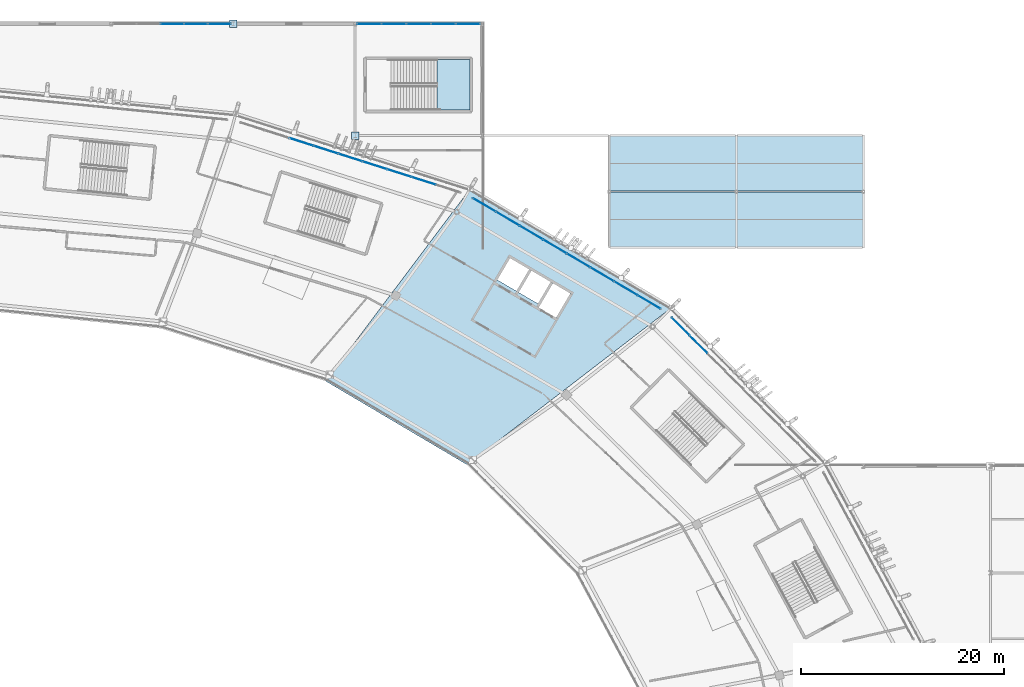
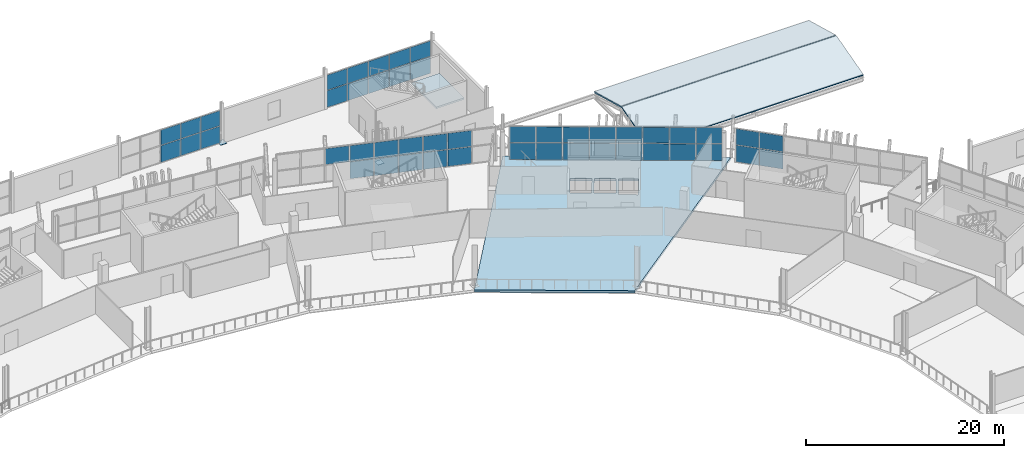
# One storey, part 102 of 179: 49 plates, 4 slabs, 7 elements without a shape of their own.
"""IFC4 building model written with IfcOpenShell, lengths in metres."""

from ifc_helpers import new_model, si_unit, direction, frame, origin, origin_2d, place, context, subcontext, project, spatial, polyline, rectangle, outline, extrude, material, layer, layer_set, type_object, element, aggregate, save


model = new_model("IFC4")

# Units and contexts
model_context = context("Model", 3, precision=1e-05, world=origin(), true_north=direction((0.0, 1.0)))
body_context = subcontext(model_context, "Body", "Model", "MODEL_VIEW")
ifc_project = project(units=[si_unit("LENGTHUNIT", "METRE"), si_unit("AREAUNIT", "SQUARE_METRE"), si_unit("VOLUMEUNIT", "CUBIC_METRE"), si_unit("PLANEANGLEUNIT", "RADIAN"), si_unit("MASSUNIT", "GRAM", prefix="KILO")], contexts=[model_context])

# Site, building, storey
site_placement = place(None, origin())
site = spatial("IfcSite", under=ifc_project, at=site_placement, CompositionType="ELEMENT")
building_placement = place(site_placement, origin())
building = spatial("IfcBuilding", under=site, at=building_placement, Name="Zlatoyarsky Gate Stadium", CompositionType="ELEMENT")
storey_placement = place(building_placement, frame((0.0, 0.0, 10.60009765625)))
storey = spatial("IfcBuildingStorey", under=building, at=storey_placement, Name="L02", CompositionType="ELEMENT", Elevation=10.60009765625)

# Roof, slabs
ifc_material_1 = material(Name="Standing-seam aluminium-zinc roofing with mineral wool insulation", Category="aluminium")
ifc_layer_1 = layer(ifc_material_1, 0.080078125)
ifc_layer_set_1 = layer_set([ifc_layer_1], Name="Standing-seam aluminium-zinc roofing with mineral wool insulation")
roof_type = type_object("IfcRoofType", Name="WINTER GARDEN PAVILION ROOF ASSEMBLY", PredefinedType="PAVILION_ROOF", material=ifc_layer_set_1)
roof_placement = place(storey_placement, origin())
roof = element("IfcRoof", 1, at=roof_placement, inside=storey, type_object=roof_type, Name="V6_NE pavilion roof", PredefinedType="PAVILION_ROOF")
ifc_material_2 = material(Name="Concrete C40/50", Category="concrete")
ifc_layer_2 = layer(ifc_material_2, 0.159912109375)
ifc_layer_set_2 = layer_set([ifc_layer_2], Name="Concrete C40/50")
slab_type_1 = type_object("IfcSlabType", Name="COMPOSITE PORTICO CANOPY SLAB 160", PredefinedType="ROOF", material=ifc_layer_set_2)
slab_1_placement = place(storey_placement, frame((172.5, 138.0, 0.0), z_axis=(0.0, -0.263080822719, 0.964773797694), x_axis=(1.0, 0.0, 0.0)))
slab_1 = element("IfcSlab", 2, at=slab_1_placement, type_object=slab_type_1, Name="V6_NE sloped roof slab 1", PredefinedType="ROOF", context=body_context, shape_type="SweptSolid", body=[
    extrude(outline(polyline([(0.0, 0.0), (25.0, 0.0), (25.0, 5.646917505320693), (0.0, 5.646917505320693), (0.0, 0.0)])), origin(), (0.0, 0.0, -1.0), 0.159912109375),
])
slab_2_placement = place(storey_placement, frame((197.5, 149.0, 0.0), z_axis=(0.0, 0.263080822719, 0.964773797694), x_axis=(-1.0, 0.0, 0.0)))
slab_2 = element("IfcSlab", 3, at=slab_2_placement, type_object=slab_type_1, Name="V6_NE sloped roof slab 2", PredefinedType="ROOF", context=body_context, shape_type="SweptSolid", body=[
    extrude(outline(polyline([(0.0, 0.0), (25.0, 0.0), (25.0, 5.646917505320693), (0.0, 5.646917505320693), (0.0, 0.0)])), origin(), (0.0, 0.0, -1.0), 0.159912109375),
])
aggregate(roof, [slab_1, slab_2])

# Slab
ifc_layer_3 = layer(ifc_material_2, 0.280029296875)
ifc_layer_set_3 = layer_set([ifc_layer_3], Name="Concrete C40/50")
slab_type_2 = type_object("IfcSlabType", Name="CONCRETE HOSPITALITY SLAB 280", PredefinedType="FLOOR", material=ifc_layer_set_3)
slab_3_placement = place(storey_placement, frame((0.0, 0.0, -0.280029296875)))
element("IfcSlab", 4, at=slab_3_placement, inside=storey, type_object=slab_type_2, Name="L02 bowl sector 03 slab", PredefinedType="FLOOR", context=body_context, shape_type="SweptSolid", body=[
    extrude(outline(polyline([(144.60009765625, 124.860107421875), (158.837890625, 143.80517578125), (178.653076171875, 132.0966796875), (158.517578125, 116.628173828125), (144.60009765625, 124.860107421875)]), holes=[polyline([(167.2734375, 131.070068359375), (168.688720703125, 133.486083984375), (166.962890625, 134.4970703125), (165.547607421875, 132.0810546875), (167.2734375, 131.070068359375)]), polyline([(165.483642578125, 132.46630859375), (166.747314453125, 134.623291015625), (164.84912109375, 135.7353515625), (163.58544921875, 133.578125), (165.483642578125, 132.46630859375)]), polyline([(164.63330078125, 135.86181640625), (162.735107421875, 136.9736328125), (161.471435546875, 134.816650390625), (163.36962890625, 133.70458984375), (164.63330078125, 135.86181640625)])]), origin(), (0.0, 0.0, 1.0), 0.280029296875),
])

# Stair, slab
stair_type = type_object("IfcStairType", Name="CONCRETE DOGLEG EXIT STAIR H5000", PredefinedType="TWO_STRAIGHT_RUN_STAIR", material=ifc_material_2)
stair_placement = place(storey_placement, origin())
stair = element("IfcStair", 5, at=stair_placement, inside=storey, type_object=stair_type, Name="L02 Exit Stair ST-32", PredefinedType="TWO_STRAIGHT_RUN_STAIR")
ifc_layer_4 = layer(ifc_material_2, 0.199951171875)
ifc_layer_set_4 = layer_set([ifc_layer_4], Name="Concrete C40/50")
slab_type_3 = type_object("IfcSlabType", Name="CONCRETE STAIR LANDING SLAB 200", PredefinedType="LANDING", material=ifc_layer_set_4)
slab_4_placement = place(storey_placement, frame((0.0, 0.0, 2.2998046875)))
slab_4 = element("IfcSlab", 6, at=slab_4_placement, type_object=slab_type_3, Name="ST-DG50 landing 1", PredefinedType="LANDING", context=body_context, shape_type="SweptSolid", body=[
    extrude(outline(polyline([(155.550048828125, 151.5), (158.800048828125, 151.5), (158.800048828125, 156.5), (155.550048828125, 156.5), (155.550048828125, 151.5)])), origin(), (0.0, 0.0, 1.0), 0.2001953125),
])
aggregate(stair, [slab_4])

# Curtain wall, plates
ifc_material_3 = material(Name="Thermally broken anodised aluminium curtain wall", Category="aluminium")
curtain_wall_type_1 = type_object("IfcCurtainWallType", Name="WINTER GARDEN CONSERVATORY GLAZING", PredefinedType="USERDEFINED", material=ifc_material_3)
curtain_wall_1_placement = place(storey_placement, origin())
curtain_wall_1 = element("IfcCurtainWall", 7, at=curtain_wall_1_placement, inside=storey, type_object=curtain_wall_type_1, Name="Curtain wall CW-V2_NORTH-L02-152", ObjectType="UNITISED GLAZING", PredefinedType="USERDEFINED")
ifc_material_4 = material(Name="Anodised aluminium spandrel panel", Category="aluminium")
ifc_layer_5 = layer(ifc_material_4, 0.05810546875)
ifc_layer_set_5 = layer_set([ifc_layer_5], Name="Anodised aluminium spandrel panel")
plate_type_1 = type_object("IfcPlateType", Name="INSULATED ALUMINIUM SPANDREL PANEL 58", PredefinedType="CURTAIN_PANEL", material=ifc_layer_set_5)
plate_1_placement = place(storey_placement, frame((148.895751953125, 160.0, 0.06494140625), z_axis=(0.0, 0.0, 1.0), x_axis=(1.0, 0.0, 0.0)))
plate_1 = element("IfcPlate", 8, at=plate_1_placement, type_object=plate_type_1, Name="CW-WG1 panel 1.1", PredefinedType="CURTAIN_PANEL", context=body_context, shape_type="SweptSolid", body=[
    extrude(rectangle(XDim=2.337646484375, YDim=0.05810546875, at=origin_2d()), origin(), (0.0, 0.0, 1.0), 2.052490234375),
])
plate_2_placement = place(storey_placement, frame((148.895751953125, 160.0, 2.182373046875), z_axis=(0.0, 0.0, 1.0), x_axis=(1.0, 0.0, 0.0)))
plate_2 = element("IfcPlate", 9, at=plate_2_placement, type_object=plate_type_1, Name="CW-WG1 panel 1.2", PredefinedType="CURTAIN_PANEL", context=body_context, shape_type="SweptSolid", body=[
    extrude(rectangle(XDim=2.337646484375, YDim=0.05810546875, at=origin_2d()), origin(), (0.0, 0.0, 1.0), 1.8525390625),
])
plate_3_placement = place(storey_placement, frame((151.314697265625, 160.0, 0.06494140625), z_axis=(0.0, 0.0, 1.0), x_axis=(1.0, 0.0, 0.0)))
plate_3 = element("IfcPlate", 10, at=plate_3_placement, type_object=plate_type_1, Name="CW-WG1 panel 2.1", PredefinedType="CURTAIN_PANEL", context=body_context, shape_type="SweptSolid", body=[
    extrude(rectangle(XDim=2.3701171875, YDim=0.05810546875, at=origin_2d()), origin(), (0.0, 0.0, 1.0), 2.052490234375),
])
plate_4_placement = place(storey_placement, frame((151.314697265625, 160.0, 2.182373046875), z_axis=(0.0, 0.0, 1.0), x_axis=(1.0, 0.0, 0.0)))
plate_4 = element("IfcPlate", 11, at=plate_4_placement, type_object=plate_type_1, Name="CW-WG1 panel 2.2", PredefinedType="CURTAIN_PANEL", context=body_context, shape_type="SweptSolid", body=[
    extrude(rectangle(XDim=2.3701171875, YDim=0.05810546875, at=origin_2d()), origin(), (0.0, 0.0, 1.0), 1.8525390625),
])
plate_5_placement = place(storey_placement, frame((153.75, 160.0, 0.06494140625), z_axis=(0.0, 0.0, 1.0), x_axis=(1.0, 0.0, 0.0)))
plate_5 = element("IfcPlate", 12, at=plate_5_placement, type_object=plate_type_1, Name="CW-WG1 panel 3.1", PredefinedType="CURTAIN_PANEL", context=body_context, shape_type="SweptSolid", body=[
    extrude(rectangle(XDim=2.3701171875, YDim=0.05810546875, at=origin_2d()), origin(), (0.0, 0.0, 1.0), 2.052490234375),
])
plate_6_placement = place(storey_placement, frame((153.75, 160.0, 2.182373046875), z_axis=(0.0, 0.0, 1.0), x_axis=(1.0, 0.0, 0.0)))
plate_6 = element("IfcPlate", 13, at=plate_6_placement, type_object=plate_type_1, Name="CW-WG1 panel 3.2", PredefinedType="CURTAIN_PANEL", context=body_context, shape_type="SweptSolid", body=[
    extrude(rectangle(XDim=2.3701171875, YDim=0.05810546875, at=origin_2d()), origin(), (0.0, 0.0, 1.0), 1.8525390625),
])
plate_7_placement = place(storey_placement, frame((156.185302734375, 160.0, 0.06494140625), z_axis=(0.0, 0.0, 1.0), x_axis=(1.0, 0.0, 0.0)))
plate_7 = element("IfcPlate", 14, at=plate_7_placement, type_object=plate_type_1, Name="CW-WG1 panel 4.1", PredefinedType="CURTAIN_PANEL", context=body_context, shape_type="SweptSolid", body=[
    extrude(rectangle(XDim=2.3701171875, YDim=0.05810546875, at=origin_2d()), origin(), (0.0, 0.0, 1.0), 2.052490234375),
])
plate_8_placement = place(storey_placement, frame((156.185302734375, 160.0, 2.182373046875), z_axis=(0.0, 0.0, 1.0), x_axis=(1.0, 0.0, 0.0)))
plate_8 = element("IfcPlate", 15, at=plate_8_placement, type_object=plate_type_1, Name="CW-WG1 panel 4.2", PredefinedType="CURTAIN_PANEL", context=body_context, shape_type="SweptSolid", body=[
    extrude(rectangle(XDim=2.3701171875, YDim=0.05810546875, at=origin_2d()), origin(), (0.0, 0.0, 1.0), 1.8525390625),
])
plate_9_placement = place(storey_placement, frame((158.604248046875, 160.0, 0.06494140625), z_axis=(0.0, 0.0, 1.0), x_axis=(1.0, 0.0, 0.0)))
plate_9 = element("IfcPlate", 16, at=plate_9_placement, type_object=plate_type_1, Name="CW-WG1 panel 5.1", PredefinedType="CURTAIN_PANEL", context=body_context, shape_type="SweptSolid", body=[
    extrude(rectangle(XDim=2.337646484375, YDim=0.05810546875, at=origin_2d()), origin(), (0.0, 0.0, 1.0), 2.052490234375),
])
plate_10_placement = place(storey_placement, frame((158.604248046875, 160.0, 2.182373046875), z_axis=(0.0, 0.0, 1.0), x_axis=(1.0, 0.0, 0.0)))
plate_10 = element("IfcPlate", 17, at=plate_10_placement, type_object=plate_type_1, Name="CW-WG1 panel 5.2", PredefinedType="CURTAIN_PANEL", context=body_context, shape_type="SweptSolid", body=[
    extrude(rectangle(XDim=2.337646484375, YDim=0.05810546875, at=origin_2d()), origin(), (0.0, 0.0, 1.0), 1.8525390625),
])
aggregate(curtain_wall_1, [plate_1, plate_2, plate_3, plate_4, plate_5, plate_6, plate_7, plate_8, plate_9, plate_10])

# Plates
ifc_material_5 = material(Name="Steel S355", Category="steel")
ifc_layer_6 = layer(ifc_material_5, 0.0400390625)
ifc_layer_set_6 = layer_set([ifc_layer_6], Name="Steel S355")
plate_type_2 = type_object("IfcPlateType", Name="STEEL COLUMN BASE PLATE 40", PredefinedType="USERDEFINED", material=ifc_layer_set_6)
for number, where, z_axis, x_axis, name in (
    (18, (135.5, 160.0, 0.0), (0.0, 0.0, 1.0), (1.0, 0.0, 0.0), "Column base plate BP-01 at WG-12-Q L02"),
    (19, (147.5, 149.0, 0.0), (0.0, 0.0, 1.0), (1.0, 0.0, 0.0), "Column base plate BP-01 at WG-13-P L02"),
):
    element("IfcPlate", number, at=place(storey_placement, frame(where, z_axis=z_axis, x_axis=x_axis)), inside=storey, type_object=plate_type_2, Name=name, ObjectType="BASE PLATE", PredefinedType="USERDEFINED", context=body_context, shape_type="SweptSolid", body=[
        extrude(rectangle(XDim=0.75, YDim=0.75, at=origin_2d()), origin(), (0.0, 0.0, 1.0), 0.0400390625),
    ])

# Curtain wall, plates
curtain_wall_type_2 = type_object("IfcCurtainWallType", Name="UNITISED HOSPITALITY GLAZING L02", PredefinedType="USERDEFINED", material=ifc_material_3)
curtain_wall_2_placement = place(storey_placement, origin())
curtain_wall_2 = element("IfcCurtainWall", 20, at=curtain_wall_2_placement, inside=storey, type_object=curtain_wall_type_2, Name="Curtain wall CW-L02-02", ObjectType="UNITISED GLAZING", PredefinedType="USERDEFINED")
ifc_material_6 = material(Name="Triple-glazed argon low-e architectural glass", Category="glass")
ifc_layer_7 = layer(ifc_material_6, 0.0380859375)
ifc_layer_set_7 = layer_set([ifc_layer_7], Name="Triple-glazed argon low-e architectural glass")
plate_type_3 = type_object("IfcPlateType", Name="TRIPLE GLAZED LOW E CURTAIN PANEL 38", PredefinedType="CURTAIN_PANEL", material=ifc_layer_set_7)
plate_11_placement = place(storey_placement, frame((181.275146484375, 128.48046875, 0.06494140625), z_axis=(0.0, 0.0, 1.0), x_axis=(-0.706625557031, 0.707587678066, 0.0)))
plate_11 = element("IfcPlate", 21, at=plate_11_placement, type_object=plate_type_3, Name="CW-UG2 panel 7.1", PredefinedType="CURTAIN_PANEL", context=body_context, shape_type="SweptSolid", body=[
    extrude(rectangle(XDim=2.4423828125, YDim=0.0380859375, at=origin_2d()), origin(), (0.0, 0.0, 1.0), 2.052490234375),
])
plate_12_placement = place(storey_placement, frame((181.275146484375, 128.48046875, 2.1826171875), z_axis=(0.0, 0.0, 1.0), x_axis=(-0.706625557031, 0.707587678066, 0.0)))
plate_12 = element("IfcPlate", 22, at=plate_12_placement, type_object=plate_type_3, Name="CW-UG2 panel 7.2", PredefinedType="CURTAIN_PANEL", context=body_context, shape_type="SweptSolid", body=[
    extrude(rectangle(XDim=2.4423828125, YDim=0.0380859375, at=origin_2d()), origin(), (0.0, 0.0, 1.0), 1.952392578125),
])
plate_13_placement = place(storey_placement, frame((179.514892578125, 130.2431640625, 0.06494140625), z_axis=(0.0, 0.0, 1.0), x_axis=(-0.706625557031, 0.707587678066, 0.0)))
plate_13 = element("IfcPlate", 23, at=plate_13_placement, type_object=plate_type_3, Name="CW-UG2 panel 8.1", PredefinedType="CURTAIN_PANEL", context=body_context, shape_type="SweptSolid", body=[
    extrude(rectangle(XDim=2.409912109375, YDim=0.0380859375, at=origin_2d()), origin(), (0.0, 0.0, 1.0), 2.052490234375),
])
plate_14_placement = place(storey_placement, frame((179.514892578125, 130.2431640625, 2.1826171875), z_axis=(0.0, 0.0, 1.0), x_axis=(-0.706625557031, 0.707587678066, 0.0)))
plate_14 = element("IfcPlate", 24, at=plate_14_placement, type_object=plate_type_3, Name="CW-UG2 panel 8.2", PredefinedType="CURTAIN_PANEL", context=body_context, shape_type="SweptSolid", body=[
    extrude(rectangle(XDim=2.409912109375, YDim=0.0380859375, at=origin_2d()), origin(), (0.0, 0.0, 1.0), 1.952392578125),
])
aggregate(curtain_wall_2, [plate_11, plate_12, plate_13, plate_14])

curtain_wall_3_placement = place(storey_placement, origin())
curtain_wall_3 = element("IfcCurtainWall", 25, at=curtain_wall_3_placement, inside=storey, type_object=curtain_wall_type_2, Name="Curtain wall CW-L02-03", ObjectType="UNITISED GLAZING", PredefinedType="USERDEFINED")
plate_15_placement = place(storey_placement, frame((176.4248046875, 132.623779296875, 0.06494140625), z_axis=(0.0, 0.0, 1.0), x_axis=(-0.861425239802, 0.507884392586, 0.0)))
plate_15 = element("IfcPlate", 26, at=plate_15_placement, type_object=plate_type_3, Name="CW-UG2 panel 1.1", PredefinedType="CURTAIN_PANEL", context=body_context, shape_type="SweptSolid", body=[
    extrude(rectangle(XDim=2.59423828125, YDim=0.0380859375, at=origin_2d()), origin(), (0.0, 0.0, 1.0), 2.052490234375),
])
plate_16_placement = place(storey_placement, frame((176.4248046875, 132.623779296875, 2.1826171875), z_axis=(0.0, 0.0, 1.0), x_axis=(-0.861425239802, 0.507884392586, 0.0)))
plate_16 = element("IfcPlate", 27, at=plate_16_placement, type_object=plate_type_3, Name="CW-UG2 panel 1.2", PredefinedType="CURTAIN_PANEL", context=body_context, shape_type="SweptSolid", body=[
    extrude(rectangle(XDim=2.59423828125, YDim=0.0380859375, at=origin_2d()), origin(), (0.0, 0.0, 1.0), 1.952392578125),
])
plate_17_placement = place(storey_placement, frame((174.1201171875, 133.982666015625, 0.06494140625), z_axis=(0.0, 0.0, 1.0), x_axis=(-0.861425239802, 0.507884392586, 0.0)))
plate_17 = element("IfcPlate", 28, at=plate_17_placement, type_object=plate_type_3, Name="CW-UG2 panel 2.1", PredefinedType="CURTAIN_PANEL", context=body_context, shape_type="SweptSolid", body=[
    extrude(rectangle(XDim=2.626708984375, YDim=0.0380859375, at=origin_2d()), origin(), (0.0, 0.0, 1.0), 2.052490234375),
])
plate_18_placement = place(storey_placement, frame((174.1201171875, 133.982666015625, 2.1826171875), z_axis=(0.0, 0.0, 1.0), x_axis=(-0.861425239802, 0.507884392586, 0.0)))
plate_18 = element("IfcPlate", 29, at=plate_18_placement, type_object=plate_type_3, Name="CW-UG2 panel 2.2", PredefinedType="CURTAIN_PANEL", context=body_context, shape_type="SweptSolid", body=[
    extrude(rectangle(XDim=2.626708984375, YDim=0.0380859375, at=origin_2d()), origin(), (0.0, 0.0, 1.0), 1.952392578125),
])
plate_19_placement = place(storey_placement, frame((171.80126953125, 135.349609375, 0.06494140625), z_axis=(0.0, 0.0, 1.0), x_axis=(-0.861425239802, 0.507884392586, 0.0)))
plate_19 = element("IfcPlate", 30, at=plate_19_placement, type_object=plate_type_3, Name="CW-UG2 panel 3.1", PredefinedType="CURTAIN_PANEL", context=body_context, shape_type="SweptSolid", body=[
    extrude(rectangle(XDim=2.626708984375, YDim=0.0380859375, at=origin_2d()), origin(), (0.0, 0.0, 1.0), 2.052490234375),
])
plate_20_placement = place(storey_placement, frame((171.80126953125, 135.349609375, 2.1826171875), z_axis=(0.0, 0.0, 1.0), x_axis=(-0.861425239802, 0.507884392586, 0.0)))
plate_20 = element("IfcPlate", 31, at=plate_20_placement, type_object=plate_type_3, Name="CW-UG2 panel 3.2", PredefinedType="CURTAIN_PANEL", context=body_context, shape_type="SweptSolid", body=[
    extrude(rectangle(XDim=2.626708984375, YDim=0.0380859375, at=origin_2d()), origin(), (0.0, 0.0, 1.0), 1.952392578125),
])
plate_21_placement = place(storey_placement, frame((169.482421875, 136.716796875, 0.06494140625), z_axis=(0.0, 0.0, 1.0), x_axis=(-0.861425239802, 0.507884392586, 0.0)))
plate_21 = element("IfcPlate", 32, at=plate_21_placement, type_object=plate_type_3, Name="CW-UG2 panel 4.1", PredefinedType="CURTAIN_PANEL", context=body_context, shape_type="SweptSolid", body=[
    extrude(rectangle(XDim=2.626708984375, YDim=0.0380859375, at=origin_2d()), origin(), (0.0, 0.0, 1.0), 2.052490234375),
])
plate_22_placement = place(storey_placement, frame((169.482421875, 136.716796875, 2.1826171875), z_axis=(0.0, 0.0, 1.0), x_axis=(-0.861425239802, 0.507884392586, 0.0)))
plate_22 = element("IfcPlate", 33, at=plate_22_placement, type_object=plate_type_3, Name="CW-UG2 panel 4.2", PredefinedType="CURTAIN_PANEL", context=body_context, shape_type="SweptSolid", body=[
    extrude(rectangle(XDim=2.626708984375, YDim=0.0380859375, at=origin_2d()), origin(), (0.0, 0.0, 1.0), 1.952392578125),
])
plate_23_placement = place(storey_placement, frame((167.16357421875, 138.083984375, 0.06494140625), z_axis=(0.0, 0.0, 1.0), x_axis=(-0.861425239802, 0.507884392586, 0.0)))
plate_23 = element("IfcPlate", 34, at=plate_23_placement, type_object=plate_type_3, Name="CW-UG2 panel 5.1", PredefinedType="CURTAIN_PANEL", context=body_context, shape_type="SweptSolid", body=[
    extrude(rectangle(XDim=2.626708984375, YDim=0.0380859375, at=origin_2d()), origin(), (0.0, 0.0, 1.0), 2.052490234375),
])
plate_24_placement = place(storey_placement, frame((167.16357421875, 138.083984375, 2.1826171875), z_axis=(0.0, 0.0, 1.0), x_axis=(-0.861425239802, 0.507884392586, 0.0)))
plate_24 = element("IfcPlate", 35, at=plate_24_placement, type_object=plate_type_3, Name="CW-UG2 panel 5.2", PredefinedType="CURTAIN_PANEL", context=body_context, shape_type="SweptSolid", body=[
    extrude(rectangle(XDim=2.626708984375, YDim=0.0380859375, at=origin_2d()), origin(), (0.0, 0.0, 1.0), 1.952392578125),
])
plate_25_placement = place(storey_placement, frame((164.844970703125, 139.451171875, 0.06494140625), z_axis=(0.0, 0.0, 1.0), x_axis=(-0.861425239802, 0.507884392586, 0.0)))
plate_25 = element("IfcPlate", 36, at=plate_25_placement, type_object=plate_type_3, Name="CW-UG2 panel 6.1", PredefinedType="CURTAIN_PANEL", context=body_context, shape_type="SweptSolid", body=[
    extrude(rectangle(XDim=2.626708984375, YDim=0.0380859375, at=origin_2d()), origin(), (0.0, 0.0, 1.0), 2.052490234375),
])
plate_26_placement = place(storey_placement, frame((164.844970703125, 139.451171875, 2.1826171875), z_axis=(0.0, 0.0, 1.0), x_axis=(-0.861425239802, 0.507884392586, 0.0)))
plate_26 = element("IfcPlate", 37, at=plate_26_placement, type_object=plate_type_3, Name="CW-UG2 panel 6.2", PredefinedType="CURTAIN_PANEL", context=body_context, shape_type="SweptSolid", body=[
    extrude(rectangle(XDim=2.626708984375, YDim=0.0380859375, at=origin_2d()), origin(), (0.0, 0.0, 1.0), 1.952392578125),
])
plate_27_placement = place(storey_placement, frame((162.526123046875, 140.818115234375, 0.06494140625), z_axis=(0.0, 0.0, 1.0), x_axis=(-0.861425239802, 0.507884392586, 0.0)))
plate_27 = element("IfcPlate", 38, at=plate_27_placement, type_object=plate_type_3, Name="CW-UG2 panel 7.1", PredefinedType="CURTAIN_PANEL", context=body_context, shape_type="SweptSolid", body=[
    extrude(rectangle(XDim=2.626708984375, YDim=0.0380859375, at=origin_2d()), origin(), (0.0, 0.0, 1.0), 2.052490234375),
])
plate_28_placement = place(storey_placement, frame((162.526123046875, 140.818115234375, 2.1826171875), z_axis=(0.0, 0.0, 1.0), x_axis=(-0.861425239802, 0.507884392586, 0.0)))
plate_28 = element("IfcPlate", 39, at=plate_28_placement, type_object=plate_type_3, Name="CW-UG2 panel 7.2", PredefinedType="CURTAIN_PANEL", context=body_context, shape_type="SweptSolid", body=[
    extrude(rectangle(XDim=2.626708984375, YDim=0.0380859375, at=origin_2d()), origin(), (0.0, 0.0, 1.0), 1.952392578125),
])
plate_29_placement = place(storey_placement, frame((160.22119140625, 142.177001953125, 0.06494140625), z_axis=(0.0, 0.0, 1.0), x_axis=(-0.861425239802, 0.507884392586, 0.0)))
plate_29 = element("IfcPlate", 40, at=plate_29_placement, type_object=plate_type_3, Name="CW-UG2 panel 8.1", PredefinedType="CURTAIN_PANEL", context=body_context, shape_type="SweptSolid", body=[
    extrude(rectangle(XDim=2.59423828125, YDim=0.0380859375, at=origin_2d()), origin(), (0.0, 0.0, 1.0), 2.052490234375),
])
plate_30_placement = place(storey_placement, frame((160.22119140625, 142.177001953125, 2.1826171875), z_axis=(0.0, 0.0, 1.0), x_axis=(-0.861425239802, 0.507884392586, 0.0)))
plate_30 = element("IfcPlate", 41, at=plate_30_placement, type_object=plate_type_3, Name="CW-UG2 panel 8.2", PredefinedType="CURTAIN_PANEL", context=body_context, shape_type="SweptSolid", body=[
    extrude(rectangle(XDim=2.59423828125, YDim=0.0380859375, at=origin_2d()), origin(), (0.0, 0.0, 1.0), 1.952392578125),
])
aggregate(curtain_wall_3, [plate_15, plate_16, plate_17, plate_18, plate_19, plate_20, plate_21, plate_22, plate_23, plate_24, plate_25, plate_26, plate_27, plate_28, plate_29, plate_30])

curtain_wall_4_placement = place(storey_placement, origin())
curtain_wall_4 = element("IfcCurtainWall", 42, at=curtain_wall_4_placement, inside=storey, type_object=curtain_wall_type_2, Name="Curtain wall CW-L02-04", ObjectType="UNITISED GLAZING", PredefinedType="USERDEFINED")
plate_31_placement = place(storey_placement, frame((154.25732421875, 144.54541015625, 0.06494140625), z_axis=(0.0, 0.0, 1.0), x_axis=(-0.952902096538, 0.303278080998, 0.0)))
plate_31 = element("IfcPlate", 43, at=plate_31_placement, type_object=plate_type_3, Name="CW-UG2 panel 2.1", PredefinedType="CURTAIN_PANEL", context=body_context, shape_type="SweptSolid", body=[
    extrude(rectangle(XDim=2.46142578125, YDim=0.0380859375, at=origin_2d()), origin(), (0.0, 0.0, 1.0), 2.052490234375),
])
plate_32_placement = place(storey_placement, frame((154.25732421875, 144.54541015625, 2.1826171875), z_axis=(0.0, 0.0, 1.0), x_axis=(-0.952902096538, 0.303278080998, 0.0)))
plate_32 = element("IfcPlate", 44, at=plate_32_placement, type_object=plate_type_3, Name="CW-UG2 panel 2.2", PredefinedType="CURTAIN_PANEL", context=body_context, shape_type="SweptSolid", body=[
    extrude(rectangle(XDim=2.46142578125, YDim=0.0380859375, at=origin_2d()), origin(), (0.0, 0.0, 1.0), 1.952392578125),
])
plate_33_placement = place(storey_placement, frame((151.849853515625, 145.311767578125, 0.06494140625), z_axis=(0.0, 0.0, 1.0), x_axis=(-0.952902096538, 0.303278080998, 0.0)))
plate_33 = element("IfcPlate", 45, at=plate_33_placement, type_object=plate_type_3, Name="CW-UG2 panel 3.1", PredefinedType="CURTAIN_PANEL", context=body_context, shape_type="SweptSolid", body=[
    extrude(rectangle(XDim=2.46142578125, YDim=0.0380859375, at=origin_2d()), origin(), (0.0, 0.0, 1.0), 2.052490234375),
])
plate_34_placement = place(storey_placement, frame((151.849853515625, 145.311767578125, 2.1826171875), z_axis=(0.0, 0.0, 1.0), x_axis=(-0.952902096538, 0.303278080998, 0.0)))
plate_34 = element("IfcPlate", 46, at=plate_34_placement, type_object=plate_type_3, Name="CW-UG2 panel 3.2", PredefinedType="CURTAIN_PANEL", context=body_context, shape_type="SweptSolid", body=[
    extrude(rectangle(XDim=2.46142578125, YDim=0.0380859375, at=origin_2d()), origin(), (0.0, 0.0, 1.0), 1.952392578125),
])
plate_35_placement = place(storey_placement, frame((149.4423828125, 146.077880859375, 0.06494140625), z_axis=(0.0, 0.0, 1.0), x_axis=(-0.952902096538, 0.303278080998, 0.0)))
plate_35 = element("IfcPlate", 47, at=plate_35_placement, type_object=plate_type_3, Name="CW-UG2 panel 4.1", PredefinedType="CURTAIN_PANEL", context=body_context, shape_type="SweptSolid", body=[
    extrude(rectangle(XDim=2.46142578125, YDim=0.0380859375, at=origin_2d()), origin(), (0.0, 0.0, 1.0), 2.052490234375),
])
plate_36_placement = place(storey_placement, frame((149.4423828125, 146.077880859375, 2.1826171875), z_axis=(0.0, 0.0, 1.0), x_axis=(-0.952902096538, 0.303278080998, 0.0)))
plate_36 = element("IfcPlate", 48, at=plate_36_placement, type_object=plate_type_3, Name="CW-UG2 panel 4.2", PredefinedType="CURTAIN_PANEL", context=body_context, shape_type="SweptSolid", body=[
    extrude(rectangle(XDim=2.46142578125, YDim=0.0380859375, at=origin_2d()), origin(), (0.0, 0.0, 1.0), 1.952392578125),
])
plate_37_placement = place(storey_placement, frame((147.034912109375, 146.84423828125, 0.06494140625), z_axis=(0.0, 0.0, 1.0), x_axis=(-0.952902096538, 0.303278080998, 0.0)))
plate_37 = element("IfcPlate", 49, at=plate_37_placement, type_object=plate_type_3, Name="CW-UG2 panel 5.1", PredefinedType="CURTAIN_PANEL", context=body_context, shape_type="SweptSolid", body=[
    extrude(rectangle(XDim=2.46142578125, YDim=0.0380859375, at=origin_2d()), origin(), (0.0, 0.0, 1.0), 2.052490234375),
])
plate_38_placement = place(storey_placement, frame((147.034912109375, 146.84423828125, 2.1826171875), z_axis=(0.0, 0.0, 1.0), x_axis=(-0.952902096538, 0.303278080998, 0.0)))
plate_38 = element("IfcPlate", 50, at=plate_38_placement, type_object=plate_type_3, Name="CW-UG2 panel 5.2", PredefinedType="CURTAIN_PANEL", context=body_context, shape_type="SweptSolid", body=[
    extrude(rectangle(XDim=2.46142578125, YDim=0.0380859375, at=origin_2d()), origin(), (0.0, 0.0, 1.0), 1.952392578125),
])
plate_39_placement = place(storey_placement, frame((144.627197265625, 147.6103515625, 0.06494140625), z_axis=(0.0, 0.0, 1.0), x_axis=(-0.952902096538, 0.303278080998, 0.0)))
plate_39 = element("IfcPlate", 51, at=plate_39_placement, type_object=plate_type_3, Name="CW-UG2 panel 6.1", PredefinedType="CURTAIN_PANEL", context=body_context, shape_type="SweptSolid", body=[
    extrude(rectangle(XDim=2.46142578125, YDim=0.0380859375, at=origin_2d()), origin(), (0.0, 0.0, 1.0), 2.052490234375),
])
plate_40_placement = place(storey_placement, frame((144.627197265625, 147.6103515625, 2.1826171875), z_axis=(0.0, 0.0, 1.0), x_axis=(-0.952902096538, 0.303278080998, 0.0)))
plate_40 = element("IfcPlate", 52, at=plate_40_placement, type_object=plate_type_3, Name="CW-UG2 panel 6.2", PredefinedType="CURTAIN_PANEL", context=body_context, shape_type="SweptSolid", body=[
    extrude(rectangle(XDim=2.46142578125, YDim=0.0380859375, at=origin_2d()), origin(), (0.0, 0.0, 1.0), 1.952392578125),
])
plate_41_placement = place(storey_placement, frame((142.2197265625, 148.376708984375, 2.1826171875), z_axis=(0.0, 0.0, 1.0), x_axis=(-0.952902096538, 0.303278080998, 0.0)))
plate_41 = element("IfcPlate", 53, at=plate_41_placement, type_object=plate_type_3, Name="CW-UG2 panel 7.2", PredefinedType="CURTAIN_PANEL", context=body_context, shape_type="SweptSolid", body=[
    extrude(rectangle(XDim=2.46142578125, YDim=0.0380859375, at=origin_2d()), origin(), (0.0, 0.0, 1.0), 1.952392578125),
])
aggregate(curtain_wall_4, [plate_31, plate_32, plate_33, plate_34, plate_35, plate_36, plate_37, plate_38, plate_39, plate_40, plate_41])

curtain_wall_5_placement = place(storey_placement, origin())
curtain_wall_5 = element("IfcCurtainWall", 54, at=curtain_wall_5_placement, inside=storey, type_object=curtain_wall_type_1, Name="Curtain wall CW-V2_NORTH-L02-151", ObjectType="UNITISED GLAZING", PredefinedType="USERDEFINED")
plate_42_placement = place(storey_placement, frame((129.5, 160.0, 0.06494140625), z_axis=(0.0, 0.0, 1.0), x_axis=(1.0, 0.0, 0.0)))
plate_42 = element("IfcPlate", 55, at=plate_42_placement, type_object=plate_type_3, Name="CW-WG1 panel 3.1", PredefinedType="CURTAIN_PANEL", context=body_context, shape_type="SweptSolid", body=[
    extrude(rectangle(XDim=2.270263671875, YDim=0.0380859375, at=origin_2d()), origin(), (0.0, 0.0, 1.0), 2.052490234375),
])
plate_43_placement = place(storey_placement, frame((129.5, 160.0, 2.182373046875), z_axis=(0.0, 0.0, 1.0), x_axis=(1.0, 0.0, 0.0)))
plate_43 = element("IfcPlate", 56, at=plate_43_placement, type_object=plate_type_3, Name="CW-WG1 panel 3.2", PredefinedType="CURTAIN_PANEL", context=body_context, shape_type="SweptSolid", body=[
    extrude(rectangle(XDim=2.270263671875, YDim=0.0380859375, at=origin_2d()), origin(), (0.0, 0.0, 1.0), 1.8525390625),
])
plate_44_placement = place(storey_placement, frame((131.835205078125, 160.0, 0.06494140625), z_axis=(0.0, 0.0, 1.0), x_axis=(1.0, 0.0, 0.0)))
plate_44 = element("IfcPlate", 57, at=plate_44_placement, type_object=plate_type_3, Name="CW-WG1 panel 4.1", PredefinedType="CURTAIN_PANEL", context=body_context, shape_type="SweptSolid", body=[
    extrude(rectangle(XDim=2.270263671875, YDim=0.0380859375, at=origin_2d()), origin(), (0.0, 0.0, 1.0), 2.052490234375),
])
plate_45_placement = place(storey_placement, frame((131.835205078125, 160.0, 2.182373046875), z_axis=(0.0, 0.0, 1.0), x_axis=(1.0, 0.0, 0.0)))
plate_45 = element("IfcPlate", 58, at=plate_45_placement, type_object=plate_type_3, Name="CW-WG1 panel 4.2", PredefinedType="CURTAIN_PANEL", context=body_context, shape_type="SweptSolid", body=[
    extrude(rectangle(XDim=2.270263671875, YDim=0.0380859375, at=origin_2d()), origin(), (0.0, 0.0, 1.0), 1.8525390625),
])
plate_46_placement = place(storey_placement, frame((134.154052734375, 160.0, 0.06494140625), z_axis=(0.0, 0.0, 1.0), x_axis=(1.0, 0.0, 0.0)))
plate_46 = element("IfcPlate", 59, at=plate_46_placement, type_object=plate_type_3, Name="CW-WG1 panel 5.1", PredefinedType="CURTAIN_PANEL", context=body_context, shape_type="SweptSolid", body=[
    extrude(rectangle(XDim=2.23779296875, YDim=0.0380859375, at=origin_2d()), origin(), (0.0, 0.0, 1.0), 2.052490234375),
])
plate_47_placement = place(storey_placement, frame((134.154052734375, 160.0, 2.182373046875), z_axis=(0.0, 0.0, 1.0), x_axis=(1.0, 0.0, 0.0)))
plate_47 = element("IfcPlate", 60, at=plate_47_placement, type_object=plate_type_3, Name="CW-WG1 panel 5.2", PredefinedType="CURTAIN_PANEL", context=body_context, shape_type="SweptSolid", body=[
    extrude(rectangle(XDim=2.23779296875, YDim=0.0380859375, at=origin_2d()), origin(), (0.0, 0.0, 1.0), 1.8525390625),
])
aggregate(curtain_wall_5, [plate_42, plate_43, plate_44, plate_45, plate_46, plate_47])

save(model, "model.ifc")
